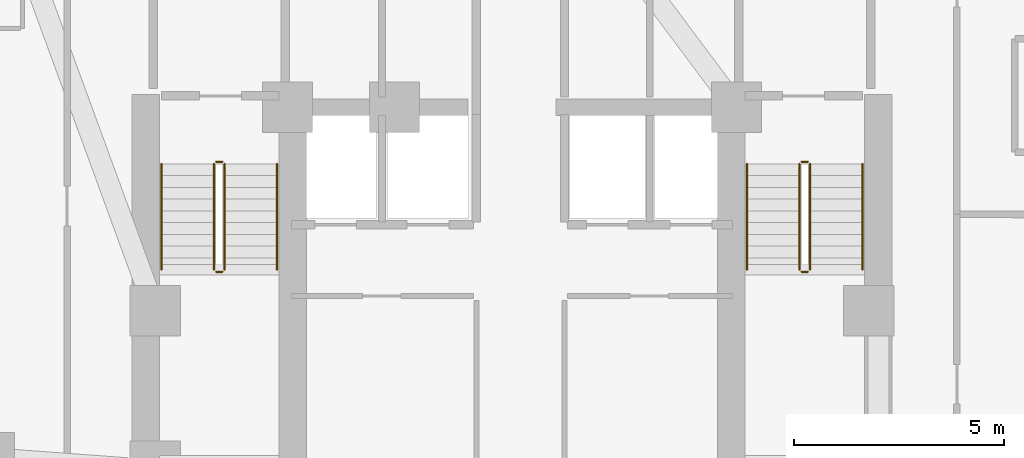
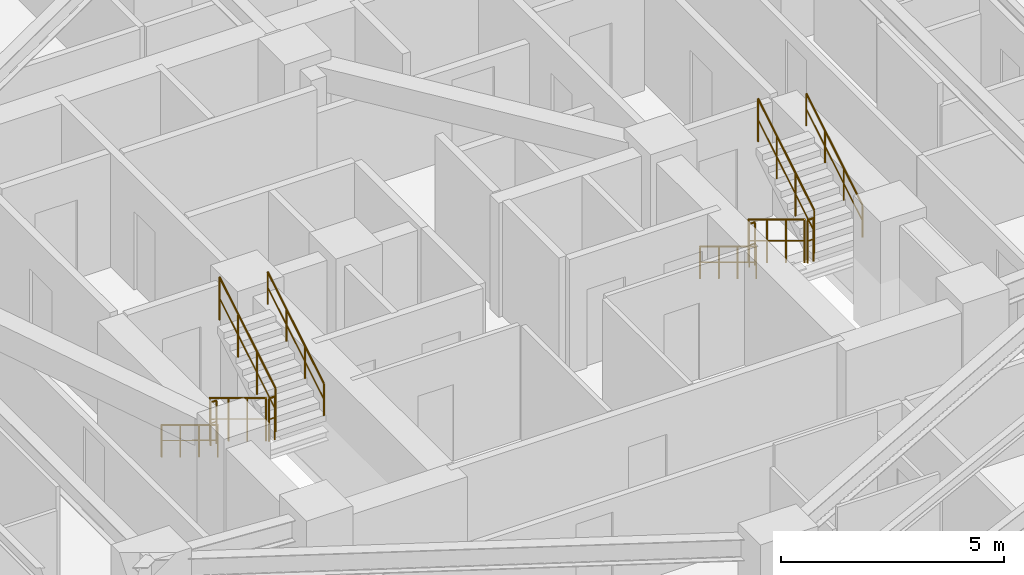
# One storey, part 12 of 12: 12 railings.
"""IFC4 building model written with IfcOpenShell, lengths in metres."""

from ifc_helpers import new_model, si_unit, direction, frame, origin, origin_2d, place, context, subcontext, project, spatial, circle, extrude, material, type_object, element, save


model = new_model("IFC4")

# Units and contexts
model_context = context("Model", 3, precision=1e-05, world=origin(), true_north=direction((0.0, 1.0)))
body_context = subcontext(model_context, "Body", "Model", "MODEL_VIEW")
ifc_project = project(units=[si_unit("LENGTHUNIT", "METRE"), si_unit("AREAUNIT", "SQUARE_METRE"), si_unit("VOLUMEUNIT", "CUBIC_METRE"), si_unit("PLANEANGLEUNIT", "RADIAN"), si_unit("MASSUNIT", "GRAM", prefix="KILO")], contexts=[model_context])

# Site, building, storey
site_placement = place(None, origin())
site = spatial("IfcSite", under=ifc_project, at=site_placement, CompositionType="ELEMENT")
building_placement = place(site_placement, origin())
building = spatial("IfcBuilding", under=site, at=building_placement, Name="Miruveldt Soraemaru", CompositionType="ELEMENT")
storey_placement = place(building_placement, frame((0.0, 0.0, 56.39990234375)))
storey = spatial("IfcBuildingStorey", under=building, at=storey_placement, Name="L15", CompositionType="ELEMENT", Elevation=56.39990234375)

# Railings
ifc_material = material(Name="Steel S355 (355 MPa)", Category="steel")
railing_type_1 = type_object("IfcRailingType", Name="RAIL-HR-900", PredefinedType="HANDRAIL", material=ifc_material)
railing_1_placement = place(storey_placement, frame((35.64990234375, 42.699951171875, 0.170166015625)))
element("IfcRailing", 1, at=railing_1_placement, inside=storey, type_object=railing_type_1, Name="L15 ST-1 stair handrail 1", PredefinedType="HANDRAIL", context=body_context, shape_type="SweptSolid", body=[
    extrude(circle(Radius=0.02392578125, at=origin_2d()), frame((0.0, 0.0, 0.8759765625), z_axis=(0.0, -0.85478489116, 0.518982456201), x_axis=(1.0, 0.0, 0.0)), (0.0, 0.0, 1.0), 2.9482421875),
    extrude(circle(Radius=0.01611328125, at=origin_2d()), frame((0.0, 0.0, 0.449951171875), z_axis=(0.0, -0.85478489116, 0.518982456201), x_axis=(1.0, 0.0, 0.0)), (0.0, 0.0, 1.0), 2.9482421875),
    extrude(circle(Radius=0.02099609375, at=origin_2d()), origin(), (0.0, 0.0, 1.0), 0.851806640625),
    extrude(circle(Radius=0.02099609375, at=origin_2d()), frame((0.0, -0.840087890625, 0.510009765625)), (0.0, 0.0, 1.0), 0.851806640625),
    extrude(circle(Radius=0.02099609375, at=origin_2d()), frame((0.0, -1.679931640625, 1.02001953125)), (0.0, 0.0, 1.0), 0.851806640625),
    extrude(circle(Radius=0.02099609375, at=origin_2d()), frame((0.0, -2.52001953125, 1.530029296875)), (0.0, 0.0, 1.0), 0.851806640625),
])
railing_2_placement = place(storey_placement, frame((38.39990234375, 40.179931640625, 1.8701171875)))
element("IfcRailing", 2, at=railing_2_placement, inside=storey, type_object=railing_type_1, Name="L15 ST-1 stair handrail 2", PredefinedType="HANDRAIL", context=body_context, shape_type="SweptSolid", body=[
    extrude(circle(Radius=0.02392578125, at=origin_2d()), frame((0.0, 0.0, 0.8759765625), z_axis=(0.0, 0.85478489116, 0.518982456201), x_axis=(-1.0, 0.0, 0.0)), (0.0, 0.0, 1.0), 2.9482421875),
    extrude(circle(Radius=0.01611328125, at=origin_2d()), frame((0.0, 0.0, 0.449951171875), z_axis=(0.0, 0.85478489116, 0.518982456201), x_axis=(-1.0, 0.0, 0.0)), (0.0, 0.0, 1.0), 2.9482421875),
    extrude(circle(Radius=0.02099609375, at=origin_2d()), origin(), (0.0, 0.0, 1.0), 0.851806640625),
    extrude(circle(Radius=0.02099609375, at=origin_2d()), frame((0.0, 0.840087890625, 0.510009765625)), (0.0, 0.0, 1.0), 0.851806640625),
    extrude(circle(Radius=0.02099609375, at=origin_2d()), frame((0.0, 1.679931640625, 1.02001953125)), (0.0, 0.0, 1.0), 0.851806640625),
    extrude(circle(Radius=0.02099609375, at=origin_2d()), frame((0.0, 2.52001953125, 1.530029296875)), (0.0, 0.0, 1.0), 0.851806640625),
])
railing_3_placement = place(storey_placement, frame((49.60009765625, 42.699951171875, 0.170166015625)))
element("IfcRailing", 3, at=railing_3_placement, inside=storey, type_object=railing_type_1, Name="L15 ST-2 stair handrail 1", PredefinedType="HANDRAIL", context=body_context, shape_type="SweptSolid", body=[
    extrude(circle(Radius=0.02392578125, at=origin_2d()), frame((0.0, 0.0, 0.8759765625), z_axis=(0.0, -0.85478489116, 0.518982456201), x_axis=(1.0, 0.0, 0.0)), (0.0, 0.0, 1.0), 2.9482421875),
    extrude(circle(Radius=0.01611328125, at=origin_2d()), frame((0.0, 0.0, 0.449951171875), z_axis=(0.0, -0.85478489116, 0.518982456201), x_axis=(1.0, 0.0, 0.0)), (0.0, 0.0, 1.0), 2.9482421875),
    extrude(circle(Radius=0.02099609375, at=origin_2d()), origin(), (0.0, 0.0, 1.0), 0.851806640625),
    extrude(circle(Radius=0.02099609375, at=origin_2d()), frame((0.0, -0.840087890625, 0.510009765625)), (0.0, 0.0, 1.0), 0.851806640625),
    extrude(circle(Radius=0.02099609375, at=origin_2d()), frame((0.0, -1.679931640625, 1.02001953125)), (0.0, 0.0, 1.0), 0.851806640625),
    extrude(circle(Radius=0.02099609375, at=origin_2d()), frame((0.0, -2.52001953125, 1.530029296875)), (0.0, 0.0, 1.0), 0.851806640625),
])
railing_4_placement = place(storey_placement, frame((52.35009765625, 40.179931640625, 1.8701171875)))
element("IfcRailing", 4, at=railing_4_placement, inside=storey, type_object=railing_type_1, Name="L15 ST-2 stair handrail 2", PredefinedType="HANDRAIL", context=body_context, shape_type="SweptSolid", body=[
    extrude(circle(Radius=0.02392578125, at=origin_2d()), frame((0.0, 0.0, 0.8759765625), z_axis=(0.0, 0.85478489116, 0.518982456201), x_axis=(-1.0, 0.0, 0.0)), (0.0, 0.0, 1.0), 2.9482421875),
    extrude(circle(Radius=0.01611328125, at=origin_2d()), frame((0.0, 0.0, 0.449951171875), z_axis=(0.0, 0.85478489116, 0.518982456201), x_axis=(-1.0, 0.0, 0.0)), (0.0, 0.0, 1.0), 2.9482421875),
    extrude(circle(Radius=0.02099609375, at=origin_2d()), origin(), (0.0, 0.0, 1.0), 0.851806640625),
    extrude(circle(Radius=0.02099609375, at=origin_2d()), frame((0.0, 0.840087890625, 0.510009765625)), (0.0, 0.0, 1.0), 0.851806640625),
    extrude(circle(Radius=0.02099609375, at=origin_2d()), frame((0.0, 1.679931640625, 1.02001953125)), (0.0, 0.0, 1.0), 0.851806640625),
    extrude(circle(Radius=0.02099609375, at=origin_2d()), frame((0.0, 2.52001953125, 1.530029296875)), (0.0, 0.0, 1.0), 0.851806640625),
])
railing_type_2 = type_object("IfcRailingType", Name="RAIL-STGUARD-1200", PredefinedType="GUARDRAIL", material=ifc_material)
railing_5_placement = place(storey_placement, frame((36.89990234375, 42.699951171875, 0.170166015625)))
element("IfcRailing", 5, at=railing_5_placement, inside=storey, type_object=railing_type_2, Name="L15 ST-1 stair guard 1", PredefinedType="GUARDRAIL", context=body_context, shape_type="SweptSolid", body=[
    extrude(circle(Radius=0.02392578125, at=origin_2d()), frame((0.0, 0.0, 1.17578125), z_axis=(0.0, -0.85478489116, 0.518982456201), x_axis=(1.0, 0.0, 0.0)), (0.0, 0.0, 1.0), 2.9482421875),
    extrude(circle(Radius=0.01611328125, at=origin_2d()), frame((0.0, 0.0, 0.60009765625), z_axis=(0.0, -0.85478489116, 0.518982456201), x_axis=(1.0, 0.0, 0.0)), (0.0, 0.0, 1.0), 2.9482421875),
    extrude(circle(Radius=0.02099609375, at=origin_2d()), origin(), (0.0, 0.0, 1.0), 1.15185546875),
    extrude(circle(Radius=0.02099609375, at=origin_2d()), frame((0.0, -0.840087890625, 0.510009765625)), (0.0, 0.0, 1.0), 1.15185546875),
    extrude(circle(Radius=0.02099609375, at=origin_2d()), frame((0.0, -1.679931640625, 1.02001953125)), (0.0, 0.0, 1.0), 1.15185546875),
    extrude(circle(Radius=0.02099609375, at=origin_2d()), frame((0.0, -2.52001953125, 1.530029296875)), (0.0, 0.0, 1.0), 1.15185546875),
])
railing_6_placement = place(storey_placement, frame((36.949951171875, 40.1298828125, 1.7001953125)))
element("IfcRailing", 6, at=railing_6_placement, inside=storey, type_object=railing_type_2, Name="L15 ST-1 stair guard 2", PredefinedType="GUARDRAIL", context=body_context, shape_type="SweptSolid", body=[
    extrude(circle(Radius=0.02392578125, at=origin_2d()), frame((0.0, 0.0, 1.17578125), z_axis=(1.0, 0.0, 0.0), x_axis=(0.0, 1.0, 0.0)), (0.0, 0.0, 1.0), 0.150146484375),
    extrude(circle(Radius=0.01611328125, at=origin_2d()), frame((0.0, 0.0, 0.60009765625), z_axis=(1.0, 0.0, 0.0), x_axis=(0.0, 1.0, 0.0)), (0.0, 0.0, 1.0), 0.150146484375),
    extrude(circle(Radius=0.02099609375, at=origin_2d()), origin(), (0.0, 0.0, 1.0), 1.15185546875),
    extrude(circle(Radius=0.02099609375, at=origin_2d()), frame((0.150146484375, 0.0, 0.0)), (0.0, 0.0, 1.0), 1.15185546875),
])
railing_7_placement = place(storey_placement, frame((37.14990234375, 40.179931640625, 1.8701171875)))
element("IfcRailing", 7, at=railing_7_placement, inside=storey, type_object=railing_type_2, Name="L15 ST-1 stair guard 3", PredefinedType="GUARDRAIL", context=body_context, shape_type="SweptSolid", body=[
    extrude(circle(Radius=0.02392578125, at=origin_2d()), frame((0.0, 0.0, 1.17578125), z_axis=(0.0, 0.85478489116, 0.518982456201), x_axis=(-1.0, 0.0, 0.0)), (0.0, 0.0, 1.0), 2.9482421875),
    extrude(circle(Radius=0.01611328125, at=origin_2d()), frame((0.0, 0.0, 0.60009765625), z_axis=(0.0, 0.85478489116, 0.518982456201), x_axis=(-1.0, 0.0, 0.0)), (0.0, 0.0, 1.0), 2.9482421875),
    extrude(circle(Radius=0.02099609375, at=origin_2d()), origin(), (0.0, 0.0, 1.0), 1.15185546875),
    extrude(circle(Radius=0.02099609375, at=origin_2d()), frame((0.0, 0.840087890625, 0.510009765625)), (0.0, 0.0, 1.0), 1.15185546875),
    extrude(circle(Radius=0.02099609375, at=origin_2d()), frame((0.0, 1.679931640625, 1.02001953125)), (0.0, 0.0, 1.0), 1.15185546875),
    extrude(circle(Radius=0.02099609375, at=origin_2d()), frame((0.0, 2.52001953125, 1.530029296875)), (0.0, 0.0, 1.0), 1.15185546875),
])
railing_8_placement = place(storey_placement, frame((36.949951171875, 42.75, 0.0)))
element("IfcRailing", 8, at=railing_8_placement, inside=storey, type_object=railing_type_2, Name="L15 ST-1 stair guard 4", PredefinedType="GUARDRAIL", context=body_context, shape_type="SweptSolid", body=[
    extrude(circle(Radius=0.02392578125, at=origin_2d()), frame((0.0, 0.0, 1.17578125), z_axis=(1.0, 0.0, 0.0), x_axis=(0.0, 1.0, 0.0)), (0.0, 0.0, 1.0), 0.150146484375),
    extrude(circle(Radius=0.01611328125, at=origin_2d()), frame((0.0, 0.0, 0.60009765625), z_axis=(1.0, 0.0, 0.0), x_axis=(0.0, 1.0, 0.0)), (0.0, 0.0, 1.0), 0.150146484375),
    extrude(circle(Radius=0.02099609375, at=origin_2d()), origin(), (0.0, 0.0, 1.0), 1.15185546875),
    extrude(circle(Radius=0.02099609375, at=origin_2d()), frame((0.150146484375, 0.0, 0.0)), (0.0, 0.0, 1.0), 1.15185546875),
])
railing_9_placement = place(storey_placement, frame((50.85009765625, 42.699951171875, 0.170166015625)))
element("IfcRailing", 9, at=railing_9_placement, inside=storey, type_object=railing_type_2, Name="L15 ST-2 stair guard 1", PredefinedType="GUARDRAIL", context=body_context, shape_type="SweptSolid", body=[
    extrude(circle(Radius=0.02392578125, at=origin_2d()), frame((0.0, 0.0, 1.17578125), z_axis=(0.0, -0.85478489116, 0.518982456201), x_axis=(1.0, 0.0, 0.0)), (0.0, 0.0, 1.0), 2.9482421875),
    extrude(circle(Radius=0.01611328125, at=origin_2d()), frame((0.0, 0.0, 0.60009765625), z_axis=(0.0, -0.85478489116, 0.518982456201), x_axis=(1.0, 0.0, 0.0)), (0.0, 0.0, 1.0), 2.9482421875),
    extrude(circle(Radius=0.02099609375, at=origin_2d()), origin(), (0.0, 0.0, 1.0), 1.15185546875),
    extrude(circle(Radius=0.02099609375, at=origin_2d()), frame((0.0, -0.840087890625, 0.510009765625)), (0.0, 0.0, 1.0), 1.15185546875),
    extrude(circle(Radius=0.02099609375, at=origin_2d()), frame((0.0, -1.679931640625, 1.02001953125)), (0.0, 0.0, 1.0), 1.15185546875),
    extrude(circle(Radius=0.02099609375, at=origin_2d()), frame((0.0, -2.52001953125, 1.530029296875)), (0.0, 0.0, 1.0), 1.15185546875),
])
railing_10_placement = place(storey_placement, frame((50.89990234375, 40.1298828125, 1.7001953125)))
element("IfcRailing", 10, at=railing_10_placement, inside=storey, type_object=railing_type_2, Name="L15 ST-2 stair guard 2", PredefinedType="GUARDRAIL", context=body_context, shape_type="SweptSolid", body=[
    extrude(circle(Radius=0.02392578125, at=origin_2d()), frame((0.0, 0.0, 1.17578125), z_axis=(1.0, 0.0, 0.0), x_axis=(0.0, 1.0, 0.0)), (0.0, 0.0, 1.0), 0.150146484375),
    extrude(circle(Radius=0.01611328125, at=origin_2d()), frame((0.0, 0.0, 0.60009765625), z_axis=(1.0, 0.0, 0.0), x_axis=(0.0, 1.0, 0.0)), (0.0, 0.0, 1.0), 0.150146484375),
    extrude(circle(Radius=0.02099609375, at=origin_2d()), origin(), (0.0, 0.0, 1.0), 1.15185546875),
    extrude(circle(Radius=0.02099609375, at=origin_2d()), frame((0.150146484375, 0.0, 0.0)), (0.0, 0.0, 1.0), 1.15185546875),
])
railing_11_placement = place(storey_placement, frame((51.10009765625, 40.179931640625, 1.8701171875)))
element("IfcRailing", 11, at=railing_11_placement, inside=storey, type_object=railing_type_2, Name="L15 ST-2 stair guard 3", PredefinedType="GUARDRAIL", context=body_context, shape_type="SweptSolid", body=[
    extrude(circle(Radius=0.02392578125, at=origin_2d()), frame((0.0, 0.0, 1.17578125), z_axis=(0.0, 0.85478489116, 0.518982456201), x_axis=(-1.0, 0.0, 0.0)), (0.0, 0.0, 1.0), 2.9482421875),
    extrude(circle(Radius=0.01611328125, at=origin_2d()), frame((0.0, 0.0, 0.60009765625), z_axis=(0.0, 0.85478489116, 0.518982456201), x_axis=(-1.0, 0.0, 0.0)), (0.0, 0.0, 1.0), 2.9482421875),
    extrude(circle(Radius=0.02099609375, at=origin_2d()), origin(), (0.0, 0.0, 1.0), 1.15185546875),
    extrude(circle(Radius=0.02099609375, at=origin_2d()), frame((0.0, 0.840087890625, 0.510009765625)), (0.0, 0.0, 1.0), 1.15185546875),
    extrude(circle(Radius=0.02099609375, at=origin_2d()), frame((0.0, 1.679931640625, 1.02001953125)), (0.0, 0.0, 1.0), 1.15185546875),
    extrude(circle(Radius=0.02099609375, at=origin_2d()), frame((0.0, 2.52001953125, 1.530029296875)), (0.0, 0.0, 1.0), 1.15185546875),
])
railing_12_placement = place(storey_placement, frame((50.89990234375, 42.75, 0.0)))
element("IfcRailing", 12, at=railing_12_placement, inside=storey, type_object=railing_type_2, Name="L15 ST-2 stair guard 4", PredefinedType="GUARDRAIL", context=body_context, shape_type="SweptSolid", body=[
    extrude(circle(Radius=0.02392578125, at=origin_2d()), frame((0.0, 0.0, 1.17578125), z_axis=(1.0, 0.0, 0.0), x_axis=(0.0, 1.0, 0.0)), (0.0, 0.0, 1.0), 0.150146484375),
    extrude(circle(Radius=0.01611328125, at=origin_2d()), frame((0.0, 0.0, 0.60009765625), z_axis=(1.0, 0.0, 0.0), x_axis=(0.0, 1.0, 0.0)), (0.0, 0.0, 1.0), 0.150146484375),
    extrude(circle(Radius=0.02099609375, at=origin_2d()), origin(), (0.0, 0.0, 1.0), 1.15185546875),
    extrude(circle(Radius=0.02099609375, at=origin_2d()), frame((0.150146484375, 0.0, 0.0)), (0.0, 0.0, 1.0), 1.15185546875),
])

save(model, "model.ifc")
